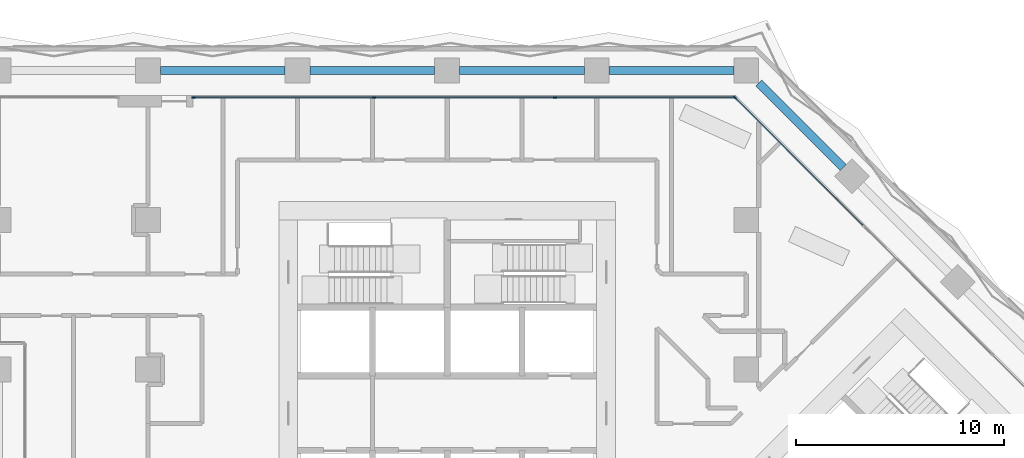
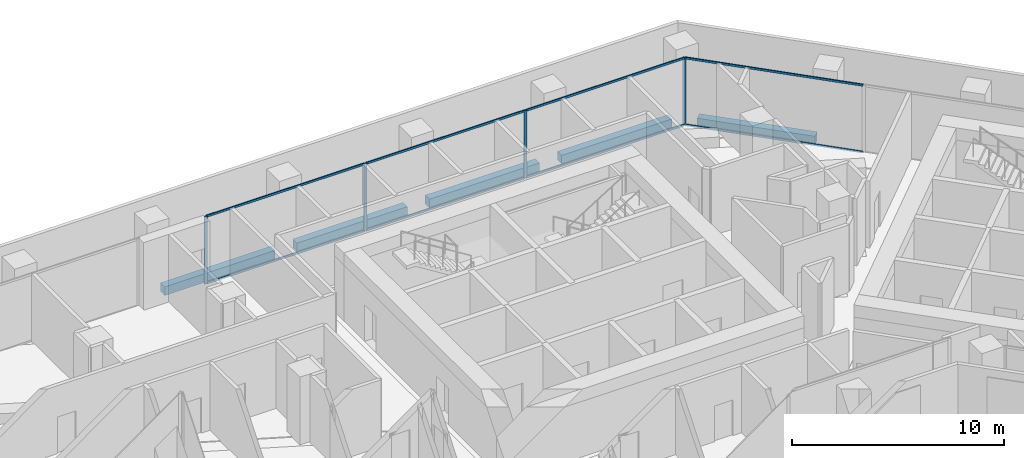
# One storey, part 8 of 24: 12 members, 5 beams, 2 elements without a shape of their own.
"""IFC4 building model written with IfcOpenShell, lengths in metres."""

from ifc_helpers import new_model, si_unit, direction, frame, origin, origin_2d, place, context, subcontext, project, spatial, rectangle, extrude, material, material_profile, profile_set, type_object, element, aggregate, save


model = new_model("IFC4")

# Units and contexts
model_context = context("Model", 3, precision=1e-05, world=origin(), true_north=direction((0.0, 1.0)))
body_context = subcontext(model_context, "Body", "Model", "MODEL_VIEW")
ifc_project = project(units=[si_unit("LENGTHUNIT", "METRE"), si_unit("AREAUNIT", "SQUARE_METRE"), si_unit("VOLUMEUNIT", "CUBIC_METRE"), si_unit("PLANEANGLEUNIT", "RADIAN"), si_unit("MASSUNIT", "GRAM", prefix="KILO")], contexts=[model_context])

# Site, building, storey
site_placement = place(None, origin())
site = spatial("IfcSite", under=ifc_project, at=site_placement, CompositionType="ELEMENT")
building_placement = place(site_placement, origin())
building = spatial("IfcBuilding", under=site, at=building_placement, Name="Windrow Commons", CompositionType="ELEMENT")
storey_placement = place(building_placement, frame((0.0, 0.0, 67.8)))
storey = spatial("IfcBuildingStorey", under=building, at=storey_placement, Name="L18", CompositionType="ELEMENT", Elevation=67.8)

# Curtain wall, member
ifc_material_1 = material(Name="Clear laminated glass in Aluminium 6063-T6 anodised frame", Category="aluminium")
curtain_wall_type = type_object("IfcCurtainWallType", Name="Curtain wall CW2 sky lounge", PredefinedType="USERDEFINED", material=ifc_material_1)
placement = place(storey_placement, origin())
curtain_wall_1 = element("IfcCurtainWall", 1, at=placement, inside=storey, type_object=curtain_wall_type, Name="Curtain wall CW2 L18 3", ObjectType="UNITISED", PredefinedType="USERDEFINED")
ifc_material_2 = material(Name="Aluminium 6063-T6", Category="aluminium")
ifc_material_profile_1 = material_profile(ifc_material_2, rectangle(XDim=0.06, YDim=0.16, at=origin_2d()))
ifc_profile_set_1 = profile_set([ifc_material_profile_1], Name="Aluminium 6063-T6")
member_type_1 = type_object("IfcMemberType", Name="CW2 mullion 60x160", PredefinedType="MULLION", material=ifc_profile_set_1)
member_1_placement = place(storey_placement, frame((78.6534, 70.7081, 0.0), z_axis=(0.0, 0.0, 1.0), x_axis=(-0.7071067812, -0.7071067812, 0.0)))
member_1 = element("IfcMember", 2, at=member_1_placement, type_object=member_type_1, Name="CW2 mullion 6", PredefinedType="MULLION", context=body_context, shape_type="SweptSolid", body=[
    extrude(rectangle(XDim=0.06, YDim=0.16, at=origin_2d()), origin(), (0.0, 0.0, 1.0), 3.9),
])

# Curtain wall, members
curtain_wall_2 = element("IfcCurtainWall", 3, at=placement, inside=storey, type_object=curtain_wall_type, Name="Curtain wall CW2 L18 4.1", ObjectType="UNITISED", PredefinedType="USERDEFINED")
member_2_placement = place(storey_placement, frame((69.9859, 70.7, 0.0), z_axis=(0.0, 0.0, 1.0), x_axis=(0.0, -1.0, 0.0)))
member_2 = element("IfcMember", 4, at=member_2_placement, type_object=member_type_1, Name="CW2 mullion 2", PredefinedType="MULLION", context=body_context, shape_type="SweptSolid", body=[
    extrude(rectangle(XDim=0.06, YDim=0.16, at=origin_2d()), origin(), (0.0, 0.0, 1.0), 3.9),
])
member_3_placement = place(storey_placement, frame((61.2689, 70.7, 0.0), z_axis=(0.0, 0.0, 1.0), x_axis=(0.0, -1.0, 0.0)))
member_3 = element("IfcMember", 5, at=member_3_placement, type_object=member_type_1, Name="CW2 mullion 3", PredefinedType="MULLION", context=body_context, shape_type="SweptSolid", body=[
    extrude(rectangle(XDim=0.06, YDim=0.16, at=origin_2d()), origin(), (0.0, 0.0, 1.0), 3.9),
])
member_4_placement = place(storey_placement, frame((52.5819, 70.7, 0.0), z_axis=(0.0, 0.0, 1.0), x_axis=(0.0, -1.0, 0.0)))
member_4 = element("IfcMember", 6, at=member_4_placement, type_object=member_type_1, Name="CW2 mullion 4", PredefinedType="MULLION", context=body_context, shape_type="SweptSolid", body=[
    extrude(rectangle(XDim=0.06, YDim=0.16, at=origin_2d()), origin(), (0.0, 0.0, 1.0), 3.9),
])

# Member
ifc_material_3 = material(Name="Aluminium 6063-T6", Category="aluminium")
ifc_material_profile_2 = material_profile(ifc_material_3, rectangle(XDim=0.06, YDim=0.12, at=origin_2d()))
ifc_profile_set_2 = profile_set([ifc_material_profile_2], Name="Aluminium 6063-T6")
member_type_2 = type_object("IfcMemberType", Name="CW2 transom 60x120", PredefinedType="USERDEFINED", material=ifc_profile_set_2)
member_5_placement = place(storey_placement, frame((84.8198, 64.5417, 0.03), z_axis=(-0.7071067812, 0.7071067812, 0.0), x_axis=(-0.7071067812, -0.7071067812, 0.0)))
member_5 = element("IfcMember", 7, at=member_5_placement, type_object=member_type_2, Name="CW2 transom 5.1", ObjectType="TRANSOM", PredefinedType="USERDEFINED", context=body_context, shape_type="SweptSolid", body=[
    extrude(rectangle(XDim=0.06, YDim=0.12, at=origin_2d()), origin(), (0.0, 0.0, 1.0), 8.6906),
])

member_6_placement = place(storey_placement, frame((84.8198, 64.5417, 3.87), z_axis=(-0.7071067812, 0.7071067812, 0.0), x_axis=(-0.7071067812, -0.7071067812, 0.0)))
member_6 = element("IfcMember", 8, at=member_6_placement, type_object=member_type_2, Name="CW2 transom 5.2", ObjectType="TRANSOM", PredefinedType="USERDEFINED", context=body_context, shape_type="SweptSolid", body=[
    extrude(rectangle(XDim=0.06, YDim=0.12, at=origin_2d()), origin(), (0.0, 0.0, 1.0), 8.6906),
])

aggregate(curtain_wall_1, [member_1, member_5, member_6])

member_7_placement = place(storey_placement, frame((78.6429, 70.7, 0.03), z_axis=(-1.0, 0.0, 0.0), x_axis=(0.0, -1.0, 0.0)))
member_7 = element("IfcMember", 9, at=member_7_placement, type_object=member_type_2, Name="CW2 transom 1.1", ObjectType="TRANSOM", PredefinedType="USERDEFINED", context=body_context, shape_type="SweptSolid", body=[
    extrude(rectangle(XDim=0.06, YDim=0.12, at=origin_2d()), origin(), (0.0, 0.0, 1.0), 8.627),
])

member_8_placement = place(storey_placement, frame((78.6429, 70.7, 3.87), z_axis=(-1.0, 0.0, 0.0), x_axis=(0.0, -1.0, 0.0)))
member_8 = element("IfcMember", 10, at=member_8_placement, type_object=member_type_2, Name="CW2 transom 1.2", ObjectType="TRANSOM", PredefinedType="USERDEFINED", context=body_context, shape_type="SweptSolid", body=[
    extrude(rectangle(XDim=0.06, YDim=0.12, at=origin_2d()), origin(), (0.0, 0.0, 1.0), 8.627),
])

member_9_placement = place(storey_placement, frame((69.9559, 70.7, 0.03), z_axis=(-1.0, 0.0, 0.0), x_axis=(0.0, -1.0, 0.0)))
member_9 = element("IfcMember", 11, at=member_9_placement, type_object=member_type_2, Name="CW2 transom 2.1", ObjectType="TRANSOM", PredefinedType="USERDEFINED", context=body_context, shape_type="SweptSolid", body=[
    extrude(rectangle(XDim=0.06, YDim=0.12, at=origin_2d()), origin(), (0.0, 0.0, 1.0), 8.657),
])

member_10_placement = place(storey_placement, frame((69.9559, 70.7, 3.87), z_axis=(-1.0, 0.0, 0.0), x_axis=(0.0, -1.0, 0.0)))
member_10 = element("IfcMember", 12, at=member_10_placement, type_object=member_type_2, Name="CW2 transom 2.2", ObjectType="TRANSOM", PredefinedType="USERDEFINED", context=body_context, shape_type="SweptSolid", body=[
    extrude(rectangle(XDim=0.06, YDim=0.12, at=origin_2d()), origin(), (0.0, 0.0, 1.0), 8.657),
])

member_11_placement = place(storey_placement, frame((61.2389, 70.7, 0.03), z_axis=(-1.0, 0.0, 0.0), x_axis=(0.0, -1.0, 0.0)))
member_11 = element("IfcMember", 13, at=member_11_placement, type_object=member_type_2, Name="CW2 transom 3.1", ObjectType="TRANSOM", PredefinedType="USERDEFINED", context=body_context, shape_type="SweptSolid", body=[
    extrude(rectangle(XDim=0.06, YDim=0.12, at=origin_2d()), origin(), (0.0, 0.0, 1.0), 8.627),
])

member_12_placement = place(storey_placement, frame((61.2389, 70.7, 3.87), z_axis=(-1.0, 0.0, 0.0), x_axis=(0.0, -1.0, 0.0)))
member_12 = element("IfcMember", 14, at=member_12_placement, type_object=member_type_2, Name="CW2 transom 3.2", ObjectType="TRANSOM", PredefinedType="USERDEFINED", context=body_context, shape_type="SweptSolid", body=[
    extrude(rectangle(XDim=0.06, YDim=0.12, at=origin_2d()), origin(), (0.0, 0.0, 1.0), 8.627),
])

aggregate(curtain_wall_2, [member_2, member_3, member_4, member_7, member_8, member_9, member_10, member_11, member_12])

# Beams
ifc_material_4 = material(Name="Concrete C60/75", Category="concrete")
ifc_material_profile_3 = material_profile(ifc_material_4, rectangle(XDim=0.4, YDim=0.5, at=origin_2d()))
ifc_profile_set_3 = profile_set([ifc_material_profile_3], Name="Concrete C60/75")
beam_type = type_object("IfcBeamType", Name="RC EDGE BEAM 400x500 C60/75", PredefinedType="SPANDREL", material=ifc_profile_set_3)
for number, where, z_axis, x_axis, name in (
    (15, (51.0, 72.0, -0.55), (1.0, 0.0, 0.0), (0.0, 1.0, 0.0), "Edge beam L18 009"),
    (16, (58.2, 72.0, -0.55), (1.0, 0.0, 0.0), (0.0, 1.0, 0.0), "Edge beam L18 010"),
    (17, (65.4, 72.0, -0.55), (1.0, 0.0, 0.0), (0.0, 1.0, 0.0), "Edge beam L18 011"),
    (18, (72.6, 72.0, -0.55), (1.0, 0.0, 0.0), (0.0, 1.0, 0.0), "Edge beam L18 012"),
):
    element("IfcBeam", number, at=place(storey_placement, frame(where, z_axis=z_axis, x_axis=x_axis)), inside=storey, type_object=beam_type, Name=name, PredefinedType="SPANDREL", context=body_context, shape_type="SweptSolid", body=[
        extrude(rectangle(XDim=0.4, YDim=0.5, at=origin_2d()), origin(), (0.0, 0.0, 1.0), 6.0),
    ])
beam_placement = place(storey_placement, frame((79.8, 71.4, -0.55), z_axis=(0.7071067812, -0.7071067812, 0.0), x_axis=(0.7071067812, 0.7071067812, 0.0)))
element("IfcBeam", 19, at=beam_placement, inside=storey, type_object=beam_type, Name="Edge beam L18 013", PredefinedType="SPANDREL", context=body_context, shape_type="SweptSolid", body=[
    extrude(rectangle(XDim=0.4, YDim=0.5, at=origin_2d()), origin(), (0.0, 0.0, 1.0), 5.7515),
])

save(model, "model.ifc")
